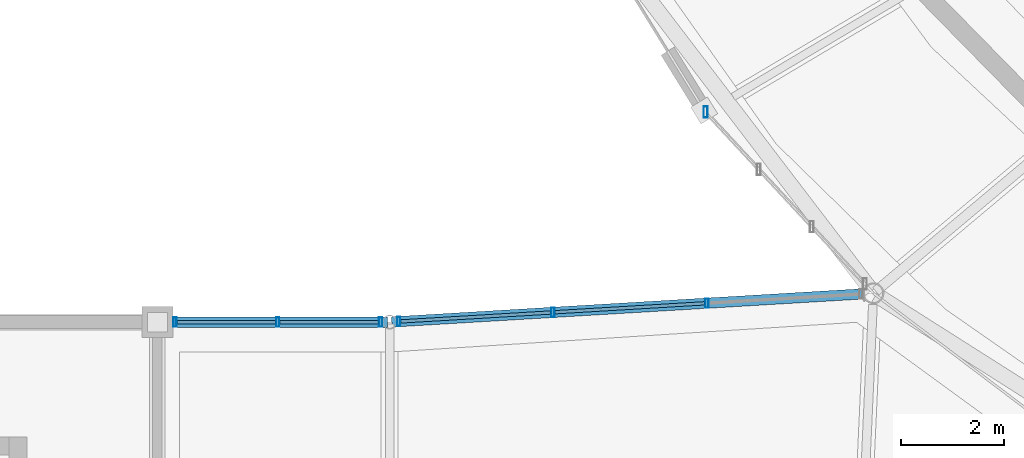
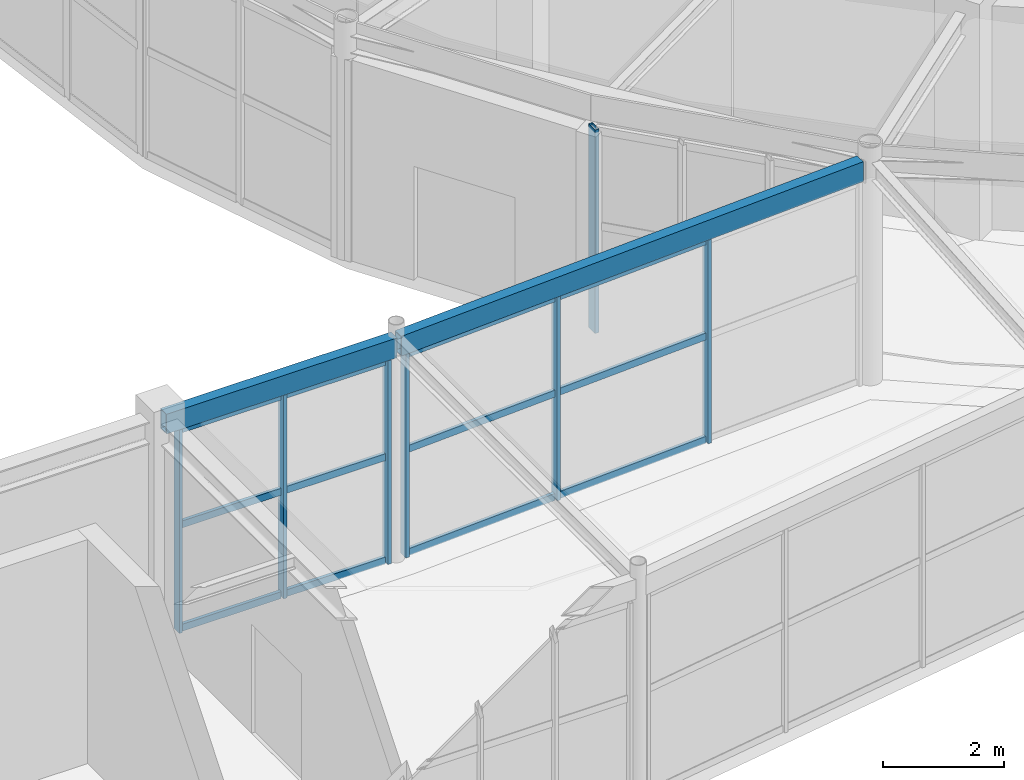
# One storey, part 28 of 108: 19 members, 2 beams, 3 elements without a shape of their own.
"""IFC4 building model written with IfcOpenShell, lengths in metres."""

from ifc_helpers import new_model, si_unit, direction, frame, origin, origin_2d, place, context, subcontext, project, spatial, hollow_rectangle, extrude, material, material_profile, profile_set, type_object, element, aggregate, save


model = new_model("IFC4")

# Units and contexts
model_context = context("Model", 3, precision=1e-05, world=origin(), true_north=direction((0.0, 1.0)))
body_context = subcontext(model_context, "Body", "Model", "MODEL_VIEW")
ifc_project = project(units=[si_unit("LENGTHUNIT", "METRE"), si_unit("AREAUNIT", "SQUARE_METRE"), si_unit("VOLUMEUNIT", "CUBIC_METRE"), si_unit("PLANEANGLEUNIT", "RADIAN"), si_unit("MASSUNIT", "GRAM", prefix="KILO")], contexts=[model_context])

# Site, building, storey
site_placement = place(None, origin())
site = spatial("IfcSite", under=ifc_project, at=site_placement, CompositionType="ELEMENT")
building_placement = place(site_placement, origin())
building = spatial("IfcBuilding", under=site, at=building_placement, Name="Tarnveldt Headland Concert Hall", CompositionType="ELEMENT")
storey_placement = place(building_placement, origin())
storey = spatial("IfcBuildingStorey", under=building, at=storey_placement, Name="L00", CompositionType="ELEMENT", Elevation=0.0)

# Curtain wall, members
ifc_material_1 = material(Name="Marine-anodised aluminium EN AW-6063-T6", Category="aluminium")
curtain_wall_type_1 = type_object("IfcCurtainWallType", Name="CW-L1", PredefinedType="NOTDEFINED", material=ifc_material_1)
curtain_wall_1_placement = place(storey_placement, origin())
curtain_wall_1 = element("IfcCurtainWall", 1, at=curtain_wall_1_placement, inside=storey, type_object=curtain_wall_type_1, Name="Curtain wall CW-L00-170", PredefinedType="NOTDEFINED")
ifc_material_profile_1 = material_profile(ifc_material_1, hollow_rectangle(XDim=0.06494140625, YDim=0.179931640625, WallThickness=0.00390625, at=origin_2d()), Name="ALU MULLION 65x180x4", Category="aluminium")
ifc_profile_set_1 = profile_set([ifc_material_profile_1], Name="Marine-anodised aluminium EN AW-6063-T6")
member_type_1 = type_object("IfcMemberType", Name="ML-180", PredefinedType="MULLION", material=ifc_profile_set_1)
member_1_placement = place(storey_placement, frame((44.840087890625, 38.0, 0.0), z_axis=(0.0, 0.0, 1.0), x_axis=(1.0, 0.0, 0.0)))
member_1 = element("IfcMember", 2, at=member_1_placement, type_object=member_type_1, Name="Mullion CW-L00-170-1", PredefinedType="MULLION", context=body_context, shape_type="SweptSolid", body=[
    extrude(hollow_rectangle(XDim=0.06494140625, YDim=0.179931640625, WallThickness=0.00390625, at=origin_2d()), origin(), (0.0, 0.0, 1.0), 4.10791015625),
])
member_2_placement = place(storey_placement, frame((46.831787109375, 38.0, 0.0), z_axis=(0.0, 0.0, 1.0), x_axis=(1.0, 0.0, 0.0)))
member_2 = element("IfcMember", 3, at=member_2_placement, type_object=member_type_1, Name="Mullion CW-L00-170-2", PredefinedType="MULLION", context=body_context, shape_type="SweptSolid", body=[
    extrude(hollow_rectangle(XDim=0.06494140625, YDim=0.179931640625, WallThickness=0.00390625, at=origin_2d()), origin(), (0.0, 0.0, 1.0), 4.10791015625),
])
member_3_placement = place(storey_placement, frame((48.823486328125, 38.0, 0.0), z_axis=(0.0, 0.0, 1.0), x_axis=(1.0, 0.0, 0.0)))
member_3 = element("IfcMember", 4, at=member_3_placement, type_object=member_type_1, Name="Mullion CW-L00-170-3", PredefinedType="MULLION", context=body_context, shape_type="SweptSolid", body=[
    extrude(hollow_rectangle(XDim=0.06494140625, YDim=0.179931640625, WallThickness=0.00390625, at=origin_2d()), origin(), (0.0, 0.0, 1.0), 4.10791015625),
])

curtain_wall_2_placement = place(storey_placement, origin())
curtain_wall_2 = element("IfcCurtainWall", 5, at=curtain_wall_2_placement, inside=storey, type_object=curtain_wall_type_1, Name="Curtain wall CW-L00-171", PredefinedType="NOTDEFINED")
member_4_placement = place(storey_placement, frame((49.17626953125, 38.010498046875, 0.0), z_axis=(0.0, 0.0, 1.0), x_axis=(1.0, 0.0, 0.0)))
member_4 = element("IfcMember", 6, at=member_4_placement, type_object=member_type_1, Name="Mullion CW-L00-171-1", PredefinedType="MULLION", context=body_context, shape_type="SweptSolid", body=[
    extrude(hollow_rectangle(XDim=0.06494140625, YDim=0.179931640625, WallThickness=0.00390625, at=origin_2d()), origin(), (0.0, 0.0, 1.0), 4.10791015625),
])
member_5_placement = place(storey_placement, frame((52.1611328125, 38.1884765625, 0.0), z_axis=(0.0, 0.0, 1.0), x_axis=(1.0, 0.0, 0.0)))
member_5 = element("IfcMember", 7, at=member_5_placement, type_object=member_type_1, Name="Mullion CW-L00-171-2", PredefinedType="MULLION", context=body_context, shape_type="SweptSolid", body=[
    extrude(hollow_rectangle(XDim=0.06494140625, YDim=0.179931640625, WallThickness=0.00390625, at=origin_2d()), origin(), (0.0, 0.0, 1.0), 4.10791015625),
])
member_6_placement = place(storey_placement, frame((55.14599609375, 38.366455078125, 0.0), z_axis=(0.0, 0.0, 1.0), x_axis=(1.0, 0.0, 0.0)))
member_6 = element("IfcMember", 8, at=member_6_placement, type_object=member_type_1, Name="Mullion CW-L00-171-3", PredefinedType="MULLION", context=body_context, shape_type="SweptSolid", body=[
    extrude(hollow_rectangle(XDim=0.06494140625, YDim=0.179931640625, WallThickness=0.00390625, at=origin_2d()), origin(), (0.0, 0.0, 1.0), 4.10791015625),
])

# Curtain wall, member
curtain_wall_type_2 = type_object("IfcCurtainWallType", Name="CW-F1", PredefinedType="NOTDEFINED", material=ifc_material_1)
curtain_wall_3_placement = place(storey_placement, origin())
curtain_wall_3 = element("IfcCurtainWall", 9, at=curtain_wall_3_placement, inside=storey, type_object=curtain_wall_type_2, Name="Curtain wall CW-L00-017", PredefinedType="NOTDEFINED")
ifc_material_profile_2 = material_profile(ifc_material_1, hollow_rectangle(XDim=0.074951171875, YDim=0.219970703125, WallThickness=0.0048828125, at=origin_2d()), Name="ALU MULLION 75x220x5", Category="aluminium")
ifc_profile_set_2 = profile_set([ifc_material_profile_2], Name="Marine-anodised aluminium EN AW-6063-T6")
member_type_2 = type_object("IfcMemberType", Name="ML-200", PredefinedType="MULLION", material=ifc_profile_set_2)
member_7_placement = place(storey_placement, frame((55.12158203125, 42.07080078125, 0.0), z_axis=(0.0, 0.0, 1.0), x_axis=(1.0, 0.0, 0.0)))
member_7 = element("IfcMember", 10, at=member_7_placement, type_object=member_type_2, Name="Mullion CW-L00-017-1", PredefinedType="MULLION", context=body_context, shape_type="SweptSolid", body=[
    extrude(hollow_rectangle(XDim=0.074951171875, YDim=0.219970703125, WallThickness=0.0048828125, at=origin_2d()), origin(), (0.0, 0.0, 1.0), 4.10791015625),
])
aggregate(curtain_wall_3, [member_7])

# Beams
ifc_material_2 = material(Name="Steel S355", Category="steel")
ifc_material_profile_3 = material_profile(ifc_material_2, hollow_rectangle(XDim=0.199951171875, YDim=0.39990234375, WallThickness=0.01611328125, at=origin_2d()), Name="RHS 400x200x16", Category="steel")
ifc_profile_set_3 = profile_set([ifc_material_profile_3], Name="Steel S355")
beam_type = type_object("IfcBeamType", Name="SB-RHS400", PredefinedType="BEAM", material=ifc_profile_set_3)
beam_1_placement = place(storey_placement, frame((44.56005859375, 38.0, 4.320068359375), z_axis=(1.0, 0.0, 0.0), x_axis=(0.0, 1.0, 0.0)))
element("IfcBeam", 11, at=beam_1_placement, inside=storey, type_object=beam_type, Name="Framing beam L00-603", PredefinedType="BEAM", context=body_context, shape_type="SweptSolid", body=[
    extrude(hollow_rectangle(XDim=0.199951171875, YDim=0.39990234375, WallThickness=0.01611328125, at=origin_2d()), origin(), (0.0, 0.0, 1.0), 4.39990234375),
])
beam_2_placement = place(storey_placement, frame((49.039794921875, 38.00244140625, 4.320068359375), z_axis=(0.998226853728, 0.059524352132, 0.0), x_axis=(-0.059524352132, 0.998226853728, 0.0)))
element("IfcBeam", 12, at=beam_2_placement, inside=storey, type_object=beam_type, Name="Framing beam L00-604", PredefinedType="BEAM", context=body_context, shape_type="SweptSolid", body=[
    extrude(hollow_rectangle(XDim=0.199951171875, YDim=0.39990234375, WallThickness=0.01611328125, at=origin_2d()), origin(), (0.0, 0.0, 1.0), 9.150390625),
])

# Member
ifc_material_profile_4 = material_profile(ifc_material_1, hollow_rectangle(XDim=0.06494140625, YDim=0.139892578125, WallThickness=0.00390625, at=origin_2d()), Name="ALU TRANSOM 65x140x4", Category="aluminium")
ifc_profile_set_4 = profile_set([ifc_material_profile_4], Name="Marine-anodised aluminium EN AW-6063-T6")
member_type_3 = type_object("IfcMemberType", Name="TR-140", PredefinedType="MEMBER", material=ifc_profile_set_4)
member_8_placement = place(storey_placement, frame((44.884521484375, 38.0, 0.050048828125), z_axis=(1.0, 0.0, 0.0), x_axis=(0.0, 1.0, 0.0)))
member_8 = element("IfcMember", 13, at=member_8_placement, type_object=member_type_3, Name="Transom CW-L00-170-1-1", PredefinedType="MEMBER", context=body_context, shape_type="SweptSolid", body=[
    extrude(hollow_rectangle(XDim=0.06494140625, YDim=0.139892578125, WallThickness=0.00390625, at=origin_2d()), origin(), (0.0, 0.0, 1.0), 1.90283203125),
])

member_9_placement = place(storey_placement, frame((44.884521484375, 38.0, 2.13623046875), z_axis=(1.0, 0.0, 0.0), x_axis=(0.0, 1.0, 0.0)))
member_9 = element("IfcMember", 14, at=member_9_placement, type_object=member_type_3, Name="Transom CW-L00-170-1-2", PredefinedType="MEMBER", context=body_context, shape_type="SweptSolid", body=[
    extrude(hollow_rectangle(XDim=0.06494140625, YDim=0.139892578125, WallThickness=0.00390625, at=origin_2d()), origin(), (0.0, 0.0, 1.0), 1.90283203125),
])

member_10_placement = place(storey_placement, frame((44.884521484375, 38.0, 4.05810546875), z_axis=(1.0, 0.0, 0.0), x_axis=(0.0, 1.0, 0.0)))
member_10 = element("IfcMember", 15, at=member_10_placement, type_object=member_type_3, Name="Transom CW-L00-170-1-3", PredefinedType="MEMBER", context=body_context, shape_type="SweptSolid", body=[
    extrude(hollow_rectangle(XDim=0.06494140625, YDim=0.139892578125, WallThickness=0.00390625, at=origin_2d()), origin(), (0.0, 0.0, 1.0), 1.90283203125),
])

member_11_placement = place(storey_placement, frame((46.876220703125, 38.0, 0.050048828125), z_axis=(1.0, 0.0, 0.0), x_axis=(0.0, 1.0, 0.0)))
member_11 = element("IfcMember", 16, at=member_11_placement, type_object=member_type_3, Name="Transom CW-L00-170-2-1", PredefinedType="MEMBER", context=body_context, shape_type="SweptSolid", body=[
    extrude(hollow_rectangle(XDim=0.06494140625, YDim=0.139892578125, WallThickness=0.00390625, at=origin_2d()), origin(), (0.0, 0.0, 1.0), 1.90283203125),
])

member_12_placement = place(storey_placement, frame((46.876220703125, 38.0, 2.13623046875), z_axis=(1.0, 0.0, 0.0), x_axis=(0.0, 1.0, 0.0)))
member_12 = element("IfcMember", 17, at=member_12_placement, type_object=member_type_3, Name="Transom CW-L00-170-2-2", PredefinedType="MEMBER", context=body_context, shape_type="SweptSolid", body=[
    extrude(hollow_rectangle(XDim=0.06494140625, YDim=0.139892578125, WallThickness=0.00390625, at=origin_2d()), origin(), (0.0, 0.0, 1.0), 1.90283203125),
])

member_13_placement = place(storey_placement, frame((46.876220703125, 38.0, 4.05810546875), z_axis=(1.0, 0.0, 0.0), x_axis=(0.0, 1.0, 0.0)))
member_13 = element("IfcMember", 18, at=member_13_placement, type_object=member_type_3, Name="Transom CW-L00-170-2-3", PredefinedType="MEMBER", context=body_context, shape_type="SweptSolid", body=[
    extrude(hollow_rectangle(XDim=0.06494140625, YDim=0.139892578125, WallThickness=0.00390625, at=origin_2d()), origin(), (0.0, 0.0, 1.0), 1.90283203125),
])

aggregate(curtain_wall_1, [member_1, member_2, member_3, member_8, member_9, member_10, member_11, member_12, member_13])

member_14_placement = place(storey_placement, frame((49.220703125, 38.01318359375, 0.050048828125), z_axis=(0.99822851378, 0.059496506427, 0.0), x_axis=(-0.059496506427, 0.99822851378, 0.0)))
member_14 = element("IfcMember", 19, at=member_14_placement, type_object=member_type_3, Name="Transom CW-L00-171-1-1", PredefinedType="MEMBER", context=body_context, shape_type="SweptSolid", body=[
    extrude(hollow_rectangle(XDim=0.06494140625, YDim=0.139892578125, WallThickness=0.00390625, at=origin_2d()), origin(), (0.0, 0.0, 1.0), 2.901123046875),
])

member_15_placement = place(storey_placement, frame((49.220703125, 38.01318359375, 2.13623046875), z_axis=(0.99822851378, 0.059496506427, 0.0), x_axis=(-0.059496506427, 0.99822851378, 0.0)))
member_15 = element("IfcMember", 20, at=member_15_placement, type_object=member_type_3, Name="Transom CW-L00-171-1-2", PredefinedType="MEMBER", context=body_context, shape_type="SweptSolid", body=[
    extrude(hollow_rectangle(XDim=0.06494140625, YDim=0.139892578125, WallThickness=0.00390625, at=origin_2d()), origin(), (0.0, 0.0, 1.0), 2.901123046875),
])

member_16_placement = place(storey_placement, frame((49.220703125, 38.01318359375, 4.05810546875), z_axis=(0.99822851378, 0.059496506427, 0.0), x_axis=(-0.059496506427, 0.99822851378, 0.0)))
member_16 = element("IfcMember", 21, at=member_16_placement, type_object=member_type_3, Name="Transom CW-L00-171-1-3", PredefinedType="MEMBER", context=body_context, shape_type="SweptSolid", body=[
    extrude(hollow_rectangle(XDim=0.06494140625, YDim=0.139892578125, WallThickness=0.00390625, at=origin_2d()), origin(), (0.0, 0.0, 1.0), 2.901123046875),
])

member_17_placement = place(storey_placement, frame((52.20556640625, 38.191162109375, 0.050048828125), z_axis=(0.99822851378, 0.059496506427, 0.0), x_axis=(-0.059496506427, 0.99822851378, 0.0)))
member_17 = element("IfcMember", 22, at=member_17_placement, type_object=member_type_3, Name="Transom CW-L00-171-2-1", PredefinedType="MEMBER", context=body_context, shape_type="SweptSolid", body=[
    extrude(hollow_rectangle(XDim=0.06494140625, YDim=0.139892578125, WallThickness=0.00390625, at=origin_2d()), origin(), (0.0, 0.0, 1.0), 2.901123046875),
])

member_18_placement = place(storey_placement, frame((52.20556640625, 38.191162109375, 2.13623046875), z_axis=(0.99822851378, 0.059496506427, 0.0), x_axis=(-0.059496506427, 0.99822851378, 0.0)))
member_18 = element("IfcMember", 23, at=member_18_placement, type_object=member_type_3, Name="Transom CW-L00-171-2-2", PredefinedType="MEMBER", context=body_context, shape_type="SweptSolid", body=[
    extrude(hollow_rectangle(XDim=0.06494140625, YDim=0.139892578125, WallThickness=0.00390625, at=origin_2d()), origin(), (0.0, 0.0, 1.0), 2.901123046875),
])

member_19_placement = place(storey_placement, frame((52.20556640625, 38.191162109375, 4.05810546875), z_axis=(0.99822851378, 0.059496506427, 0.0), x_axis=(-0.059496506427, 0.99822851378, 0.0)))
member_19 = element("IfcMember", 24, at=member_19_placement, type_object=member_type_3, Name="Transom CW-L00-171-2-3", PredefinedType="MEMBER", context=body_context, shape_type="SweptSolid", body=[
    extrude(hollow_rectangle(XDim=0.06494140625, YDim=0.139892578125, WallThickness=0.00390625, at=origin_2d()), origin(), (0.0, 0.0, 1.0), 2.901123046875),
])

aggregate(curtain_wall_2, [member_4, member_5, member_6, member_14, member_15, member_16, member_17, member_18, member_19])

save(model, "model.ifc")
